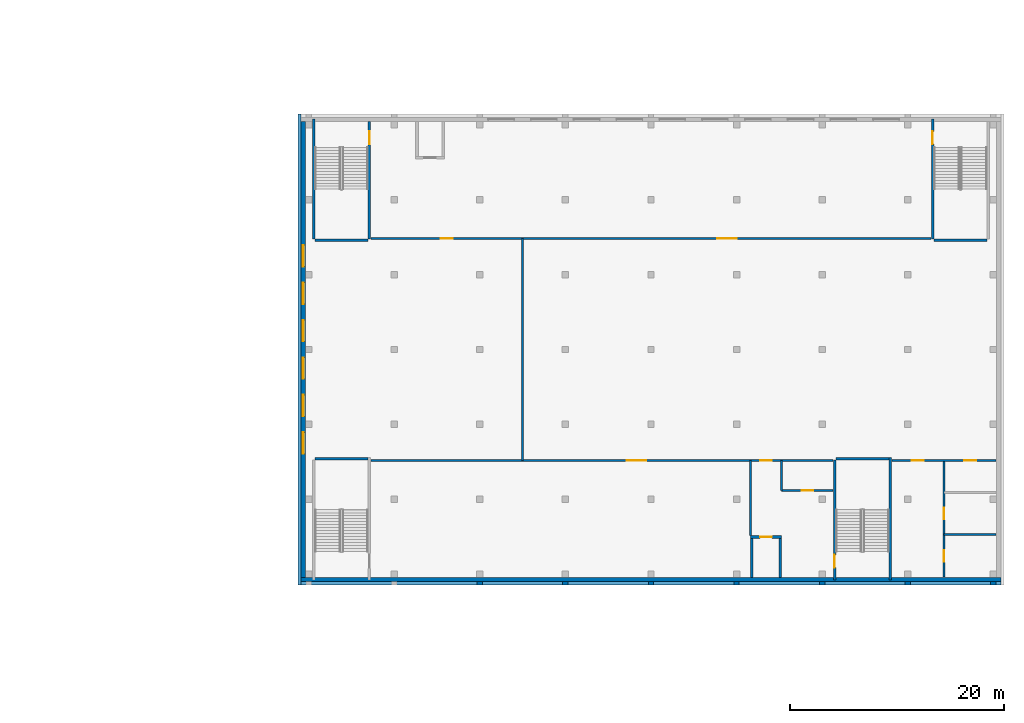
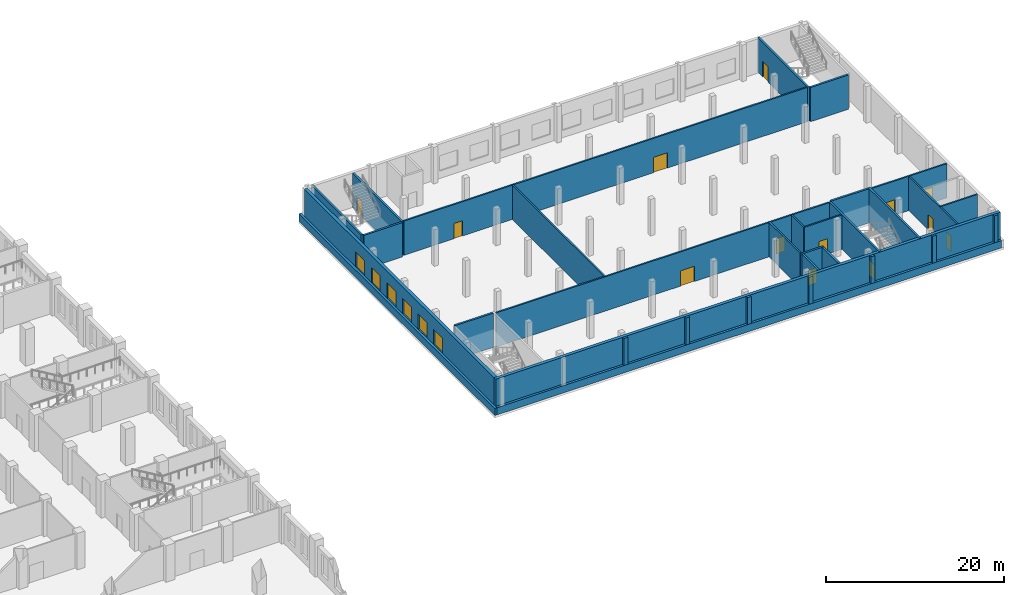
# One storey, part 11 of 32: 32 walls, 13 doors, 6 windows, 19 openings.
"""IFC4 building model written with IfcOpenShell, lengths in metres."""

from ifc_helpers import new_model, si_unit, direction, frame, frame_2d, origin, place, context, subcontext, project, spatial, rectangle, extrude, material, layer, layer_set, type_object, element, fill, save


model = new_model("IFC4")

# Units and contexts
model_context = context("Model", 3, precision=1e-05, world=origin(), true_north=direction((0.0, 1.0)))
body_context = subcontext(model_context, "Body", "Model", "MODEL_VIEW")
ifc_project = project(units=[si_unit("LENGTHUNIT", "METRE"), si_unit("AREAUNIT", "SQUARE_METRE"), si_unit("VOLUMEUNIT", "CUBIC_METRE"), si_unit("PLANEANGLEUNIT", "RADIAN"), si_unit("MASSUNIT", "GRAM", prefix="KILO")], contexts=[model_context])

# Site, building, storey
site_placement = place(None, origin())
site = spatial("IfcSite", under=ifc_project, at=site_placement, CompositionType="ELEMENT")
building_placement = place(site_placement, origin())
building = spatial("IfcBuilding", under=site, at=building_placement, Name="Tamorin Gate", CompositionType="ELEMENT")
storey_placement = place(building_placement, frame((0.0, 0.0, 18.5)))
storey = spatial("IfcBuildingStorey", under=building, at=storey_placement, Name="L03", CompositionType="ELEMENT", Elevation=18.5)

# Wall, openings, doors
ifc_material_1 = material(Name="Dense blockwork, plastered", Category="masonry")
ifc_layer_1 = layer(ifc_material_1, 0.199951171875)
ifc_layer_set_1 = layer_set([ifc_layer_1], Name="Blockwork partition 200")
wall_type_1 = type_object("IfcWallType", Name="Blockwork partition 200", PredefinedType="PARTITIONING", material=ifc_layer_set_1)
wall_1_placement = place(storey_placement, frame((151.530029296875, 66.330078125, 0.0), z_axis=(0.0, 0.0, 1.0), x_axis=(1.0, 0.0, 0.0)))
wall_1 = element("IfcWall", 1, at=wall_1_placement, inside=storey, type_object=wall_type_1, Name="Partition", PredefinedType="PARTITIONING", context=body_context, shape_type="SweptSolid", body=[
    extrude(rectangle(XDim=43.18994140625, YDim=0.199951171875, at=frame_2d((21.594970703125, 0.0))), origin(), (0.0, 0.0, 1.0), 4.699951171875),
])
opening_1_placement = place(wall_1_placement, frame((23.919921875, 0.0, 0.0)))
opening_1 = element("IfcOpeningElement", 2, at=opening_1_placement, cuts=wall_1, Name="Opening DM85", PredefinedType="OPENING", context=body_context, shape_type="SweptSolid", body=[
    extrude(rectangle(XDim=1.800048828125, YDim=2.10009765625, at=frame_2d((0.89990234375, 1.050048828125))), frame((0.0, 0.10986328125, 0.0), z_axis=(0.0, -1.0, 0.0), x_axis=(1.0, 0.0, 0.0)), (0.0, 0.0, 1.0), 0.219970703125),
])
opening_2_placement = place(wall_1_placement, frame((36.3701171875, 0.0, 0.0)))
opening_2 = element("IfcOpeningElement", 3, at=opening_2_placement, cuts=wall_1, Name="Opening DM87", PredefinedType="OPENING", context=body_context, shape_type="SweptSolid", body=[
    extrude(rectangle(XDim=1.10009765625, YDim=2.10009765625, at=frame_2d((0.550048828125, 1.050048828125))), frame((0.0, 0.10986328125, 0.0), z_axis=(0.0, -1.0, 0.0), x_axis=(1.0, 0.0, 0.0)), (0.0, 0.0, 1.0), 0.219970703125),
])
ifc_material_2 = material(Name="Steel, painted", Category="steel")
door_type_1 = type_object("IfcDoorType", Name="Museum door 1100x2100", OperationType="SINGLE_SWING_LEFT", PredefinedType="DOOR", material=ifc_material_2)
door_1_placement = place(opening_2_placement, origin())
door_1 = element("IfcDoor", 4, at=door_1_placement, inside=storey, type_object=door_type_1, Name="Door Goods lobby", OperationType="SINGLE_SWING_RIGHT", OverallHeight=2.10009765625, OverallWidth=1.10009765625, PredefinedType="DOOR", context=body_context, shape_type="SweptSolid", body=[
    extrude(rectangle(XDim=1.10009765625, YDim=2.10009765625, at=frame_2d((0.550048828125, 1.050048828125))), frame((0.0, 0.02490234375, 0.0), z_axis=(0.0, -1.0, 0.0), x_axis=(1.0, 0.0, 0.0)), (0.0, 0.0, 1.0), 0.050048828125),
])
fill(opening_2, door_1)
door_type_2 = type_object("IfcDoorType", Name="Museum double door 1800x2100", OperationType="DOUBLE_DOOR_SINGLE_SWING", PredefinedType="DOOR", material=ifc_material_2)
door_2_placement = place(opening_1_placement, origin())
door_2 = element("IfcDoor", 5, at=door_2_placement, inside=storey, type_object=door_type_2, Name="Door Gallery three introduction", OperationType="DOUBLE_DOOR_SINGLE_SWING", OverallHeight=2.10009765625, OverallWidth=1.800048828125, PredefinedType="DOOR", context=body_context, shape_type="SweptSolid", body=[
    extrude(rectangle(XDim=1.800048828125, YDim=2.10009765625, at=frame_2d((0.89990234375, 1.050048828125))), frame((0.0, 0.02490234375, 0.0), z_axis=(0.0, -1.0, 0.0), x_axis=(1.0, 0.0, 0.0)), (0.0, 0.0, 1.0), 0.050048828125),
])
fill(opening_1, door_2)

wall_2_placement = place(storey_placement, frame((200.22998046875, 66.330078125, 0.0), z_axis=(0.0, 0.0, 1.0), x_axis=(1.0, 0.0, 0.0)))
wall_2 = element("IfcWall", 6, at=wall_2_placement, inside=storey, type_object=wall_type_1, Name="Partition", PredefinedType="PARTITIONING", context=body_context, shape_type="SweptSolid", body=[
    extrude(rectangle(XDim=9.719970703125, YDim=0.199951171875, at=frame_2d((4.85986328125, 0.0))), origin(), (0.0, 0.0, 1.0), 4.699951171875),
])
opening_3_placement = place(wall_2_placement, frame((1.8701171875, 0.0, 0.0)))
opening_3 = element("IfcOpeningElement", 7, at=opening_3_placement, cuts=wall_2, Name="Opening DM88", PredefinedType="OPENING", context=body_context, shape_type="SweptSolid", body=[
    extrude(rectangle(XDim=1.10009765625, YDim=2.10009765625, at=frame_2d((0.550048828125, 1.050048828125))), frame((0.0, 0.10986328125, 0.0), z_axis=(0.0, -1.0, 0.0), x_axis=(1.0, 0.0, 0.0)), (0.0, 0.0, 1.0), 0.219970703125),
])
opening_4_placement = place(wall_2_placement, frame((6.77001953125, 0.0, 0.0)))
opening_4 = element("IfcOpeningElement", 8, at=opening_4_placement, cuts=wall_2, Name="Opening DM89", PredefinedType="OPENING", context=body_context, shape_type="SweptSolid", body=[
    extrude(rectangle(XDim=1.10009765625, YDim=2.10009765625, at=frame_2d((0.550048828125, 1.050048828125))), frame((0.0, 0.10986328125, 0.0), z_axis=(0.0, -1.0, 0.0), x_axis=(1.0, 0.0, 0.0)), (0.0, 0.0, 1.0), 0.219970703125),
])
door_3_placement = place(opening_3_placement, origin())
door_3 = element("IfcDoor", 9, at=door_3_placement, inside=storey, type_object=door_type_1, Name="Door Public WC", OperationType="SINGLE_SWING_LEFT", OverallHeight=2.10009765625, OverallWidth=1.10009765625, PredefinedType="DOOR", context=body_context, shape_type="SweptSolid", body=[
    extrude(rectangle(XDim=1.10009765625, YDim=2.10009765625, at=frame_2d((0.550048828125, 1.050048828125))), frame((0.0, 0.02490234375, 0.0), z_axis=(0.0, -1.0, 0.0), x_axis=(1.0, 0.0, 0.0)), (0.0, 0.0, 1.0), 0.050048828125),
])
fill(opening_3, door_3)
door_4_placement = place(opening_4_placement, origin())
door_4 = element("IfcDoor", 10, at=door_4_placement, inside=storey, type_object=door_type_1, Name="Door Accessible WC", OperationType="SINGLE_SWING_RIGHT", OverallHeight=2.10009765625, OverallWidth=1.10009765625, PredefinedType="DOOR", context=body_context, shape_type="SweptSolid", body=[
    extrude(rectangle(XDim=1.10009765625, YDim=2.10009765625, at=frame_2d((0.550048828125, 1.050048828125))), frame((0.0, 0.02490234375, 0.0), z_axis=(0.0, -1.0, 0.0), x_axis=(1.0, 0.0, 0.0)), (0.0, 0.0, 1.0), 0.050048828125),
])
fill(opening_4, door_4)

# Wall, opening, door
wall_3_placement = place(storey_placement, frame((189.89990234375, 63.530029296875, 0.0), z_axis=(0.0, 0.0, 1.0), x_axis=(1.0, 0.0, 0.0)))
wall_3 = element("IfcWall", 11, at=wall_3_placement, inside=storey, type_object=wall_type_1, Name="Partition", PredefinedType="PARTITIONING", context=body_context, shape_type="SweptSolid", body=[
    extrude(rectangle(XDim=4.820068359375, YDim=0.199951171875, at=frame_2d((2.41015625, 0.0))), origin(), (0.0, 0.0, 1.0), 4.699951171875),
])
opening_5_placement = place(wall_3_placement, frame((1.875, 0.0, 0.0)))
opening_5 = element("IfcOpeningElement", 12, at=opening_5_placement, cuts=wall_3, Name="Opening DM86", PredefinedType="OPENING", context=body_context, shape_type="SweptSolid", body=[
    extrude(rectangle(XDim=1.10009765625, YDim=2.10009765625, at=frame_2d((0.550048828125, 1.050048828125))), frame((0.0, 0.10986328125, 0.0), z_axis=(0.0, -1.0, 0.0), x_axis=(1.0, 0.0, 0.0)), (0.0, 0.0, 1.0), 0.219970703125),
])
door_5_placement = place(opening_5_placement, origin())
door_5 = element("IfcDoor", 13, at=door_5_placement, inside=storey, type_object=door_type_1, Name="Door Cleaner's store", OperationType="SINGLE_SWING_LEFT", OverallHeight=2.10009765625, OverallWidth=1.10009765625, PredefinedType="DOOR", context=body_context, shape_type="SweptSolid", body=[
    extrude(rectangle(XDim=1.10009765625, YDim=2.10009765625, at=frame_2d((0.550048828125, 1.050048828125))), frame((0.0, 0.02490234375, 0.0), z_axis=(0.0, -1.0, 0.0), x_axis=(1.0, 0.0, 0.0)), (0.0, 0.0, 1.0), 0.050048828125),
])
fill(opening_5, door_5)

# Wall
wall_4_placement = place(storey_placement, frame((205.10009765625, 59.39990234375, 0.0), z_axis=(0.0, 0.0, 1.0), x_axis=(1.0, 0.0, 0.0)))
element("IfcWall", 14, at=wall_4_placement, inside=storey, type_object=wall_type_1, Name="Partition", PredefinedType="PARTITIONING", context=body_context, shape_type="SweptSolid", body=[
    extrude(rectangle(XDim=4.849853515625, YDim=0.199951171875, at=frame_2d((2.4248046875, 0.0))), origin(), (0.0, 0.0, 1.0), 4.699951171875),
])

# Wall, openings, doors
wall_5_placement = place(storey_placement, frame((151.530029296875, 87.070068359375, 0.0), z_axis=(0.0, 0.0, 1.0), x_axis=(1.0, 0.0, 0.0)))
wall_5 = element("IfcWall", 15, at=wall_5_placement, inside=storey, type_object=wall_type_1, Name="Partition", PredefinedType="PARTITIONING", context=body_context, shape_type="SweptSolid", body=[
    extrude(rectangle(XDim=52.340087890625, YDim=0.199951171875, at=frame_2d((26.169921875, 0.0))), origin(), (0.0, 0.0, 1.0), 4.699951171875),
])
opening_6_placement = place(wall_5_placement, frame((32.3701171875, 0.0, 0.0)))
opening_6 = element("IfcOpeningElement", 16, at=opening_6_placement, cuts=wall_5, Name="Opening DM92", PredefinedType="OPENING", context=body_context, shape_type="SweptSolid", body=[
    extrude(rectangle(XDim=1.800048828125, YDim=2.10009765625, at=frame_2d((0.89990234375, 1.050048828125))), frame((0.0, 0.10986328125, 0.0), z_axis=(0.0, -1.0, 0.0), x_axis=(1.0, 0.0, 0.0)), (0.0, 0.0, 1.0), 0.219970703125),
])
opening_7_placement = place(wall_5_placement, frame((6.52001953125, 0.0, 0.0)))
opening_7 = element("IfcOpeningElement", 17, at=opening_7_placement, cuts=wall_5, Name="Opening DM93", PredefinedType="OPENING", context=body_context, shape_type="SweptSolid", body=[
    extrude(rectangle(XDim=1.10009765625, YDim=2.10009765625, at=frame_2d((0.550048828125, 1.050048828125))), frame((0.0, 0.10986328125, 0.0), z_axis=(0.0, -1.0, 0.0), x_axis=(1.0, 0.0, 0.0)), (0.0, 0.0, 1.0), 0.219970703125),
])
door_6_placement = place(opening_7_placement, origin())
door_6 = element("IfcDoor", 18, at=door_6_placement, inside=storey, type_object=door_type_1, Name="Door Reading room", OperationType="SINGLE_SWING_LEFT", OverallHeight=2.10009765625, OverallWidth=1.10009765625, PredefinedType="DOOR", context=body_context, shape_type="SweptSolid", body=[
    extrude(rectangle(XDim=1.10009765625, YDim=2.10009765625, at=frame_2d((0.550048828125, 1.050048828125))), frame((0.0, 0.02490234375, 0.0), z_axis=(0.0, -1.0, 0.0), x_axis=(1.0, 0.0, 0.0)), (0.0, 0.0, 1.0), 0.050048828125),
])
fill(opening_7, door_6)
door_7_placement = place(opening_6_placement, origin())
door_7 = element("IfcDoor", 19, at=door_7_placement, inside=storey, type_object=door_type_2, Name="Door Gallery three", OperationType="DOUBLE_DOOR_SINGLE_SWING", OverallHeight=2.10009765625, OverallWidth=1.800048828125, PredefinedType="DOOR", context=body_context, shape_type="SweptSolid", body=[
    extrude(rectangle(XDim=1.800048828125, YDim=2.10009765625, at=frame_2d((0.89990234375, 1.050048828125))), frame((0.0, 0.02490234375, 0.0), z_axis=(0.0, -1.0, 0.0), x_axis=(1.0, 0.0, 0.0)), (0.0, 0.0, 1.0), 0.050048828125),
])
fill(opening_6, door_7)

# Walls
wall_6_placement = place(storey_placement, frame((187.0, 59.330078125, 0.0), z_axis=(0.0, 0.0, 1.0), x_axis=(0.0, 1.0, 0.0)))
element("IfcWall", 20, at=wall_6_placement, inside=storey, type_object=wall_type_1, Name="Partition", PredefinedType="PARTITIONING", context=body_context, shape_type="SweptSolid", body=[
    extrude(rectangle(XDim=7.0, YDim=0.199951171875, at=frame_2d((3.5, 0.0))), origin(), (0.0, 0.0, 1.0), 4.699951171875),
])
wall_7_placement = place(storey_placement, frame((189.89990234375, 63.530029296875, 0.0), z_axis=(0.0, 0.0, 1.0), x_axis=(0.0, 1.0, 0.0)))
element("IfcWall", 21, at=wall_7_placement, inside=storey, type_object=wall_type_1, Name="Partition", PredefinedType="PARTITIONING", context=body_context, shape_type="SweptSolid", body=[
    extrude(rectangle(XDim=2.800048828125, YDim=0.199951171875, at=frame_2d((1.39990234375, 0.0))), origin(), (0.0, 0.0, 1.0), 4.699951171875),
])

# Wall, openings, doors
wall_8_placement = place(storey_placement, frame((205.10009765625, 55.449951171875, 0.0), z_axis=(0.0, 0.0, 1.0), x_axis=(0.0, 1.0, 0.0)))
wall_8 = element("IfcWall", 22, at=wall_8_placement, inside=storey, type_object=wall_type_1, Name="Partition", PredefinedType="PARTITIONING", context=body_context, shape_type="SweptSolid", body=[
    extrude(rectangle(XDim=10.880126953125, YDim=0.199951171875, at=frame_2d((5.43994140625, 0.0))), origin(), (0.0, 0.0, 1.0), 4.699951171875),
])
opening_8_placement = place(wall_8_placement, frame((1.39990234375, 0.0, 0.0)))
opening_8 = element("IfcOpeningElement", 23, at=opening_8_placement, cuts=wall_8, Name="Opening DM90", PredefinedType="OPENING", context=body_context, shape_type="SweptSolid", body=[
    extrude(rectangle(XDim=1.10009765625, YDim=2.10009765625, at=frame_2d((0.550048828125, 1.050048828125))), frame((0.0, 0.10986328125, 0.0), z_axis=(0.0, -1.0, 0.0), x_axis=(1.0, 0.0, 0.0)), (0.0, 0.0, 1.0), 0.219970703125),
])
opening_9_placement = place(wall_8_placement, frame((5.364990234375, 0.0, 0.0)))
opening_9 = element("IfcOpeningElement", 24, at=opening_9_placement, cuts=wall_8, Name="Opening DM91", PredefinedType="OPENING", context=body_context, shape_type="SweptSolid", body=[
    extrude(rectangle(XDim=1.10009765625, YDim=2.10009765625, at=frame_2d((0.550048828125, 1.050048828125))), frame((0.0, 0.10986328125, 0.0), z_axis=(0.0, -1.0, 0.0), x_axis=(1.0, 0.0, 0.0)), (0.0, 0.0, 1.0), 0.219970703125),
])
door_8_placement = place(opening_8_placement, origin())
door_8 = element("IfcDoor", 25, at=door_8_placement, inside=storey, type_object=door_type_1, Name="Door Family changing room", OperationType="SINGLE_SWING_LEFT", OverallHeight=2.10009765625, OverallWidth=1.10009765625, PredefinedType="DOOR", context=body_context, shape_type="SweptSolid", body=[
    extrude(rectangle(XDim=1.10009765625, YDim=2.10009765625, at=frame_2d((0.550048828125, 1.050048828125))), frame((0.0, 0.02490234375, 0.0), z_axis=(0.0, -1.0, 0.0), x_axis=(1.0, 0.0, 0.0)), (0.0, 0.0, 1.0), 0.050048828125),
])
fill(opening_8, door_8)
door_9_placement = place(opening_9_placement, origin())
door_9 = element("IfcDoor", 26, at=door_9_placement, inside=storey, type_object=door_type_1, Name="Door Baby care room", OperationType="SINGLE_SWING_RIGHT", OverallHeight=2.10009765625, OverallWidth=1.10009765625, PredefinedType="DOOR", context=body_context, shape_type="SweptSolid", body=[
    extrude(rectangle(XDim=1.10009765625, YDim=2.10009765625, at=frame_2d((0.550048828125, 1.050048828125))), frame((0.0, 0.02490234375, 0.0), z_axis=(0.0, -1.0, 0.0), x_axis=(1.0, 0.0, 0.0)), (0.0, 0.0, 1.0), 0.050048828125),
])
fill(opening_9, door_9)

# Walls
wall_9_placement = place(storey_placement, frame((165.699951171875, 66.330078125, 0.0), z_axis=(0.0, 0.0, 1.0), x_axis=(0.0, 1.0, 0.0)))
element("IfcWall", 27, at=wall_9_placement, inside=storey, type_object=wall_type_1, Name="Partition", PredefinedType="PARTITIONING", context=body_context, shape_type="SweptSolid", body=[
    extrude(rectangle(XDim=20.739990234375, YDim=0.199951171875, at=frame_2d((10.3701171875, 0.0))), origin(), (0.0, 0.0, 1.0), 4.699951171875),
])
ifc_material_3 = material(Name="Concrete C40/50", Category="concrete")
ifc_layer_2 = layer(ifc_material_3, 0.39990234375)
ifc_layer_set_2 = layer_set([ifc_layer_2], Name="Board-marked concrete facade wall 400 C40/50")
wall_type_2 = type_object("IfcWallType", Name="Board-marked concrete facade wall 400 C40/50", PredefinedType="SOLIDWALL", material=ifc_layer_set_2)
wall_10_placement = place(storey_placement, frame((145.0, 55.199951171875, 0.0), z_axis=(0.0, 0.0, 1.0), x_axis=(1.0, 0.0, 0.0)))
element("IfcWall", 28, at=wall_10_placement, inside=storey, type_object=wall_type_2, Name="Facade wall", PredefinedType="SOLIDWALL", context=body_context, shape_type="SweptSolid", body=[
    extrude(rectangle(XDim=65.39990234375, YDim=0.39990234375, at=frame_2d((32.699951171875, 0.0))), origin(), (0.0, 0.0, 1.0), 4.699951171875),
])

# Wall, openings, windows
wall_11_placement = place(storey_placement, frame((145.199951171875, 55.39990234375, 0.0), z_axis=(0.0, 0.0, 1.0), x_axis=(0.0, 1.0, 0.0)))
wall_11 = element("IfcWall", 29, at=wall_11_placement, inside=storey, type_object=wall_type_2, Name="Facade wall", PredefinedType="SOLIDWALL", context=body_context, shape_type="SweptSolid", body=[
    extrude(rectangle(XDim=42.60009765625, YDim=0.39990234375, at=frame_2d((21.300048828125, 0.0))), origin(), (0.0, 0.0, 1.0), 4.699951171875),
])
opening_10_placement = place(wall_11_placement, frame((11.550048828125, 0.0, 1.0)))
opening_10 = element("IfcOpeningElement", 30, at=opening_10_placement, cuts=wall_11, Name="Opening WNM1", PredefinedType="OPENING", context=body_context, shape_type="SweptSolid", body=[
    extrude(rectangle(XDim=2.0, YDim=2.10009765625, at=frame_2d((1.0, 1.050048828125))), frame((0.0, 0.2099609375, 0.0), z_axis=(0.0, -1.0, 0.0), x_axis=(1.0, 0.0, 0.0)), (0.0, 0.0, 1.0), 0.419921875),
])
opening_11_placement = place(wall_11_placement, frame((15.050048828125, 0.0, 1.0)))
opening_11 = element("IfcOpeningElement", 31, at=opening_11_placement, cuts=wall_11, Name="Opening WNM1", PredefinedType="OPENING", context=body_context, shape_type="SweptSolid", body=[
    extrude(rectangle(XDim=2.0, YDim=2.10009765625, at=frame_2d((1.0, 1.050048828125))), frame((0.0, 0.2099609375, 0.0), z_axis=(0.0, -1.0, 0.0), x_axis=(1.0, 0.0, 0.0)), (0.0, 0.0, 1.0), 0.419921875),
])
opening_12_placement = place(wall_11_placement, frame((18.550048828125, 0.0, 1.0)))
opening_12 = element("IfcOpeningElement", 32, at=opening_12_placement, cuts=wall_11, Name="Opening WNM1", PredefinedType="OPENING", context=body_context, shape_type="SweptSolid", body=[
    extrude(rectangle(XDim=2.0, YDim=2.10009765625, at=frame_2d((1.0, 1.050048828125))), frame((0.0, 0.2099609375, 0.0), z_axis=(0.0, -1.0, 0.0), x_axis=(1.0, 0.0, 0.0)), (0.0, 0.0, 1.0), 0.419921875),
])
opening_13_placement = place(wall_11_placement, frame((22.050048828125, 0.0, 1.0)))
opening_13 = element("IfcOpeningElement", 33, at=opening_13_placement, cuts=wall_11, Name="Opening WNM1", PredefinedType="OPENING", context=body_context, shape_type="SweptSolid", body=[
    extrude(rectangle(XDim=2.0, YDim=2.10009765625, at=frame_2d((1.0, 1.050048828125))), frame((0.0, 0.2099609375, 0.0), z_axis=(0.0, -1.0, 0.0), x_axis=(1.0, 0.0, 0.0)), (0.0, 0.0, 1.0), 0.419921875),
])
opening_14_placement = place(wall_11_placement, frame((25.550048828125, 0.0, 1.0)))
opening_14 = element("IfcOpeningElement", 34, at=opening_14_placement, cuts=wall_11, Name="Opening WNM1", PredefinedType="OPENING", context=body_context, shape_type="SweptSolid", body=[
    extrude(rectangle(XDim=2.0, YDim=2.10009765625, at=frame_2d((1.0, 1.050048828125))), frame((0.0, 0.2099609375, 0.0), z_axis=(0.0, -1.0, 0.0), x_axis=(1.0, 0.0, 0.0)), (0.0, 0.0, 1.0), 0.419921875),
])
opening_15_placement = place(wall_11_placement, frame((29.050048828125, 0.0, 1.0)))
opening_15 = element("IfcOpeningElement", 35, at=opening_15_placement, cuts=wall_11, Name="Opening WNM1", PredefinedType="OPENING", context=body_context, shape_type="SweptSolid", body=[
    extrude(rectangle(XDim=2.0, YDim=2.10009765625, at=frame_2d((1.0, 1.050048828125))), frame((0.0, 0.2099609375, 0.0), z_axis=(0.0, -1.0, 0.0), x_axis=(1.0, 0.0, 0.0)), (0.0, 0.0, 1.0), 0.419921875),
])
ifc_material_4 = material(Name="Aluminium and glass", Category="aluminium")
window_type = type_object("IfcWindowType", Name="Deep-set window 2400x1500", PartitioningType="SINGLE_PANEL", PredefinedType="WINDOW", material=ifc_material_4)
window_1_placement = place(opening_10_placement, origin())
window_1 = element("IfcWindow", 36, at=window_1_placement, inside=storey, type_object=window_type, Name="Deep-set window", OverallHeight=2.10009765625, OverallWidth=2.0, PartitioningType="SINGLE_PANEL", PredefinedType="WINDOW", context=body_context, shape_type="SweptSolid", body=[
    extrude(rectangle(XDim=2.0, YDim=2.10009765625, at=frame_2d((1.0, 1.050048828125))), frame((0.0, 0.030029296875, 0.0), z_axis=(0.0, -1.0, 0.0), x_axis=(1.0, 0.0, 0.0)), (0.0, 0.0, 1.0), 0.06005859375),
])
fill(opening_10, window_1)
window_2_placement = place(opening_11_placement, origin())
window_2 = element("IfcWindow", 37, at=window_2_placement, inside=storey, type_object=window_type, Name="Deep-set window", OverallHeight=2.10009765625, OverallWidth=2.0, PartitioningType="SINGLE_PANEL", PredefinedType="WINDOW", context=body_context, shape_type="SweptSolid", body=[
    extrude(rectangle(XDim=2.0, YDim=2.10009765625, at=frame_2d((1.0, 1.050048828125))), frame((0.0, 0.030029296875, 0.0), z_axis=(0.0, -1.0, 0.0), x_axis=(1.0, 0.0, 0.0)), (0.0, 0.0, 1.0), 0.06005859375),
])
fill(opening_11, window_2)
window_3_placement = place(opening_12_placement, origin())
window_3 = element("IfcWindow", 38, at=window_3_placement, inside=storey, type_object=window_type, Name="Deep-set window", OverallHeight=2.10009765625, OverallWidth=2.0, PartitioningType="SINGLE_PANEL", PredefinedType="WINDOW", context=body_context, shape_type="SweptSolid", body=[
    extrude(rectangle(XDim=2.0, YDim=2.10009765625, at=frame_2d((1.0, 1.050048828125))), frame((0.0, 0.030029296875, 0.0), z_axis=(0.0, -1.0, 0.0), x_axis=(1.0, 0.0, 0.0)), (0.0, 0.0, 1.0), 0.06005859375),
])
fill(opening_12, window_3)
window_4_placement = place(opening_13_placement, origin())
window_4 = element("IfcWindow", 39, at=window_4_placement, inside=storey, type_object=window_type, Name="Deep-set window", OverallHeight=2.10009765625, OverallWidth=2.0, PartitioningType="SINGLE_PANEL", PredefinedType="WINDOW", context=body_context, shape_type="SweptSolid", body=[
    extrude(rectangle(XDim=2.0, YDim=2.10009765625, at=frame_2d((1.0, 1.050048828125))), frame((0.0, 0.030029296875, 0.0), z_axis=(0.0, -1.0, 0.0), x_axis=(1.0, 0.0, 0.0)), (0.0, 0.0, 1.0), 0.06005859375),
])
fill(opening_13, window_4)
window_5_placement = place(opening_14_placement, origin())
window_5 = element("IfcWindow", 40, at=window_5_placement, inside=storey, type_object=window_type, Name="Deep-set window", OverallHeight=2.10009765625, OverallWidth=2.0, PartitioningType="SINGLE_PANEL", PredefinedType="WINDOW", context=body_context, shape_type="SweptSolid", body=[
    extrude(rectangle(XDim=2.0, YDim=2.10009765625, at=frame_2d((1.0, 1.050048828125))), frame((0.0, 0.030029296875, 0.0), z_axis=(0.0, -1.0, 0.0), x_axis=(1.0, 0.0, 0.0)), (0.0, 0.0, 1.0), 0.06005859375),
])
fill(opening_14, window_5)
window_6_placement = place(opening_15_placement, origin())
window_6 = element("IfcWindow", 41, at=window_6_placement, inside=storey, type_object=window_type, Name="Deep-set window", OverallHeight=2.10009765625, OverallWidth=2.0, PartitioningType="SINGLE_PANEL", PredefinedType="WINDOW", context=body_context, shape_type="SweptSolid", body=[
    extrude(rectangle(XDim=2.0, YDim=2.10009765625, at=frame_2d((1.0, 1.050048828125))), frame((0.0, 0.030029296875, 0.0), z_axis=(0.0, -1.0, 0.0), x_axis=(1.0, 0.0, 0.0)), (0.0, 0.0, 1.0), 0.06005859375),
])
fill(opening_15, window_6)

# Wall
ifc_layer_3 = layer(ifc_material_3, 0.25)
ifc_layer_set_3 = layer_set([ifc_layer_3], Name="Museum stair and lift enclosure wall 250 C40/50")
wall_type_3 = type_object("IfcWallType", Name="Museum stair and lift enclosure wall 250 C40/50", PredefinedType="SHEAR", material=ifc_layer_set_3)
wall_12_placement = place(storey_placement, frame((146.175048828125, 87.0400390625, 0.0), z_axis=(0.0, 0.0, 1.0), x_axis=(0.0, 1.0, 0.0)))
element("IfcWall", 42, at=wall_12_placement, inside=storey, type_object=wall_type_3, Name="Stair PS6 wall", PredefinedType="SHEAR", context=body_context, shape_type="SweptSolid", body=[
    extrude(rectangle(XDim=11.2099609375, YDim=0.25, at=frame_2d((5.60498046875, 0.0))), origin(), (0.0, 0.0, 1.0), 4.699951171875),
])

# Wall, opening, door
wall_13_placement = place(storey_placement, frame((151.375, 87.0400390625, 0.0), z_axis=(0.0, 0.0, 1.0), x_axis=(0.0, 1.0, 0.0)))
wall_13 = element("IfcWall", 43, at=wall_13_placement, inside=storey, type_object=wall_type_3, Name="Stair PS6 wall", PredefinedType="SHEAR", context=body_context, shape_type="SweptSolid", body=[
    extrude(rectangle(XDim=10.9599609375, YDim=0.25, at=frame_2d((5.47998046875, 0.0))), origin(), (0.0, 0.0, 1.0), 4.699951171875),
])
opening_16_placement = place(wall_13_placement, frame((8.860107421875, 0.0, 0.0)))
opening_16 = element("IfcOpeningElement", 44, at=opening_16_placement, cuts=wall_13, Name="Opening DM5", PredefinedType="OPENING", context=body_context, shape_type="SweptSolid", body=[
    extrude(rectangle(XDim=1.199951171875, YDim=2.10009765625, at=frame_2d((0.60009765625, 1.050048828125))), frame((0.0, 0.135009765625, 0.0), z_axis=(0.0, -1.0, 0.0), x_axis=(1.0, 0.0, 0.0)), (0.0, 0.0, 1.0), 0.27001953125),
])
door_type_3 = type_object("IfcDoorType", Name="Museum stair door 1200x2100 FD90", OperationType="SINGLE_SWING_LEFT", PredefinedType="DOOR", material=ifc_material_2)
door_10_placement = place(opening_16_placement, origin())
door_10 = element("IfcDoor", 45, at=door_10_placement, inside=storey, type_object=door_type_3, Name="Stair door", OperationType="SINGLE_SWING_LEFT", OverallHeight=2.10009765625, OverallWidth=1.199951171875, PredefinedType="DOOR", context=body_context, shape_type="SweptSolid", body=[
    extrude(rectangle(XDim=1.199951171875, YDim=2.10009765625, at=frame_2d((0.60009765625, 1.050048828125))), frame((0.0, 0.02490234375, 0.0), z_axis=(0.0, -1.0, 0.0), x_axis=(1.0, 0.0, 0.0)), (0.0, 0.0, 1.0), 0.050048828125),
])
fill(opening_16, door_10)

# Wall
wall_14_placement = place(storey_placement, frame((146.300048828125, 86.9150390625, 0.0), z_axis=(0.0, 0.0, 1.0), x_axis=(1.0, 0.0, 0.0)))
element("IfcWall", 46, at=wall_14_placement, inside=storey, type_object=wall_type_3, Name="Stair PS6 wall", PredefinedType="SHEAR", context=body_context, shape_type="SweptSolid", body=[
    extrude(rectangle(XDim=4.949951171875, YDim=0.25, at=frame_2d((2.47509765625, 0.0))), origin(), (0.0, 0.0, 1.0), 4.699951171875),
])

# Wall, opening, door
wall_15_placement = place(storey_placement, frame((194.875, 55.14990234375, 0.0), z_axis=(0.0, 0.0, 1.0), x_axis=(0.0, 1.0, 0.0)))
wall_15 = element("IfcWall", 47, at=wall_15_placement, inside=storey, type_object=wall_type_3, Name="Stair PS7 wall", PredefinedType="SHEAR", context=body_context, shape_type="SweptSolid", body=[
    extrude(rectangle(XDim=11.210205078125, YDim=0.25, at=frame_2d((5.60498046875, 0.0))), origin(), (0.0, 0.0, 1.0), 4.699951171875),
])
opening_17_placement = place(wall_15_placement, frame((1.14990234375, 0.0, 0.0)))
opening_17 = element("IfcOpeningElement", 48, at=opening_17_placement, cuts=wall_15, Name="Opening DM11", PredefinedType="OPENING", context=body_context, shape_type="SweptSolid", body=[
    extrude(rectangle(XDim=1.199951171875, YDim=2.10009765625, at=frame_2d((0.60009765625, 1.050048828125))), frame((0.0, 0.135009765625, 0.0), z_axis=(0.0, -1.0, 0.0), x_axis=(1.0, 0.0, 0.0)), (0.0, 0.0, 1.0), 0.27001953125),
])
door_11_placement = place(opening_17_placement, origin())
door_11 = element("IfcDoor", 49, at=door_11_placement, inside=storey, type_object=door_type_3, Name="Stair door", OperationType="SINGLE_SWING_LEFT", OverallHeight=2.10009765625, OverallWidth=1.199951171875, PredefinedType="DOOR", context=body_context, shape_type="SweptSolid", body=[
    extrude(rectangle(XDim=1.199951171875, YDim=2.10009765625, at=frame_2d((0.60009765625, 1.050048828125))), frame((0.0, 0.02490234375, 0.0), z_axis=(0.0, -1.0, 0.0), x_axis=(1.0, 0.0, 0.0)), (0.0, 0.0, 1.0), 0.050048828125),
])
fill(opening_17, door_11)

# Walls
wall_16_placement = place(storey_placement, frame((200.074951171875, 55.14990234375, 0.0), z_axis=(0.0, 0.0, 1.0), x_axis=(0.0, 1.0, 0.0)))
element("IfcWall", 50, at=wall_16_placement, inside=storey, type_object=wall_type_3, Name="Stair PS7 wall", PredefinedType="SHEAR", context=body_context, shape_type="SweptSolid", body=[
    extrude(rectangle(XDim=11.460205078125, YDim=0.25, at=frame_2d((5.72998046875, 0.0))), origin(), (0.0, 0.0, 1.0), 4.699951171875),
])
for number, where, z_axis, x_axis, name in (
    (51, (195.0, 66.485107421875, 0.0), (0.0, 0.0, 1.0), (1.0, 0.0, 0.0), "Stair PS7 wall"),
    (52, (146.300048828125, 66.485107421875, 0.0), (0.0, 0.0, 1.0), (1.0, 0.0, 0.0), "Stair PS8 wall"),
):
    element("IfcWall", number, at=place(storey_placement, frame(where, z_axis=z_axis, x_axis=x_axis)), inside=storey, type_object=wall_type_3, Name=name, PredefinedType="SHEAR", context=body_context, shape_type="SweptSolid", body=[
        extrude(rectangle(XDim=4.949951171875, YDim=0.25, at=frame_2d((2.47509765625, 0.0))), origin(), (0.0, 0.0, 1.0), 4.699951171875),
    ])

# Wall, opening, door
wall_17_placement = place(storey_placement, frame((204.02490234375, 87.0400390625, 0.0), z_axis=(0.0, 0.0, 1.0), x_axis=(0.0, 1.0, 0.0)))
wall_17 = element("IfcWall", 53, at=wall_17_placement, inside=storey, type_object=wall_type_3, Name="Stair PS9 wall", PredefinedType="SHEAR", context=body_context, shape_type="SweptSolid", body=[
    extrude(rectangle(XDim=11.2099609375, YDim=0.25, at=frame_2d((5.60498046875, 0.0))), origin(), (0.0, 0.0, 1.0), 4.699951171875),
])
opening_18_placement = place(wall_17_placement, frame((8.860107421875, 0.0, 0.0)))
opening_18 = element("IfcOpeningElement", 54, at=opening_18_placement, cuts=wall_17, Name="Opening DM23", PredefinedType="OPENING", context=body_context, shape_type="SweptSolid", body=[
    extrude(rectangle(XDim=1.199951171875, YDim=2.10009765625, at=frame_2d((0.60009765625, 1.050048828125))), frame((0.0, 0.135009765625, 0.0), z_axis=(0.0, -1.0, 0.0), x_axis=(1.0, 0.0, 0.0)), (0.0, 0.0, 1.0), 0.27001953125),
])
door_12_placement = place(opening_18_placement, origin())
door_12 = element("IfcDoor", 55, at=door_12_placement, inside=storey, type_object=door_type_3, Name="Stair door", OperationType="SINGLE_SWING_LEFT", OverallHeight=2.10009765625, OverallWidth=1.199951171875, PredefinedType="DOOR", context=body_context, shape_type="SweptSolid", body=[
    extrude(rectangle(XDim=1.199951171875, YDim=2.10009765625, at=frame_2d((0.60009765625, 1.050048828125))), frame((0.0, 0.02490234375, 0.0), z_axis=(0.0, -1.0, 0.0), x_axis=(1.0, 0.0, 0.0)), (0.0, 0.0, 1.0), 0.050048828125),
])
fill(opening_18, door_12)

# Wall
wall_18_placement = place(storey_placement, frame((204.14990234375, 86.9150390625, 0.0), z_axis=(0.0, 0.0, 1.0), x_axis=(1.0, 0.0, 0.0)))
element("IfcWall", 56, at=wall_18_placement, inside=storey, type_object=wall_type_3, Name="Stair PS9 wall", PredefinedType="SHEAR", context=body_context, shape_type="SweptSolid", body=[
    extrude(rectangle(XDim=4.9501953125, YDim=0.25, at=frame_2d((2.47509765625, 0.0))), origin(), (0.0, 0.0, 1.0), 4.699951171875),
])

# Wall, opening, door
wall_19_placement = place(storey_placement, frame((187.0, 59.175048828125, 0.0), z_axis=(0.0, 0.0, 1.0), x_axis=(1.0, 0.0, 0.0)))
wall_19 = element("IfcWall", 57, at=wall_19_placement, inside=storey, type_object=wall_type_3, Name="Lift shaft LM2", PredefinedType="SHEAR", context=body_context, shape_type="SweptSolid", body=[
    extrude(rectangle(XDim=2.89990234375, YDim=0.25, at=frame_2d((1.449951171875, 0.0))), origin(), (0.0, 0.0, 1.0), 4.699951171875),
])
opening_19_placement = place(wall_19_placement, frame((0.89990234375, 0.0, 0.0)))
opening_19 = element("IfcOpeningElement", 58, at=opening_19_placement, cuts=wall_19, Name="Opening LD24", PredefinedType="OPENING", context=body_context, shape_type="SweptSolid", body=[
    extrude(rectangle(XDim=1.10009765625, YDim=2.10009765625, at=frame_2d((0.550048828125, 1.050048828125))), frame((0.0, 0.135009765625, 0.0), z_axis=(0.0, -1.0, 0.0), x_axis=(1.0, 0.0, 0.0)), (0.0, 0.0, 1.0), 0.27001953125),
])
ifc_material_5 = material(Name="Stainless steel", Category="steel")
door_type_4 = type_object("IfcDoorType", Name="Museum lift landing door 1100x2100", OperationType="DOUBLE_DOOR_SLIDING", PredefinedType="DOOR", material=ifc_material_5)
door_13_placement = place(opening_19_placement, origin())
door_13 = element("IfcDoor", 59, at=door_13_placement, inside=storey, type_object=door_type_4, Name="Lift landing door", OperationType="DOUBLE_DOOR_SLIDING", OverallHeight=2.10009765625, OverallWidth=1.10009765625, PredefinedType="DOOR", context=body_context, shape_type="SweptSolid", body=[
    extrude(rectangle(XDim=1.10009765625, YDim=2.10009765625, at=frame_2d((0.550048828125, 1.050048828125))), frame((0.0, 0.02490234375, 0.0), z_axis=(0.0, -1.0, 0.0), x_axis=(1.0, 0.0, 0.0)), (0.0, 0.0, 1.0), 0.050048828125),
])
fill(opening_19, door_13)

# Walls
for number, where, z_axis, x_axis, name in (
    (60, (187.125, 55.39990234375, 0.0), (0.0, 0.0, 1.0), (0.0, 1.0, 0.0), "Lift shaft LM2"),
    (61, (189.77490234375, 55.39990234375, 0.0), (0.0, 0.0, 1.0), (0.0, 1.0, 0.0), "Lift shaft LM2"),
):
    element("IfcWall", number, at=place(storey_placement, frame(where, z_axis=z_axis, x_axis=x_axis)), inside=storey, type_object=wall_type_3, Name=name, PredefinedType="SHEAR", context=body_context, shape_type="SweptSolid", body=[
        extrude(rectangle(XDim=3.650146484375, YDim=0.25, at=frame_2d((1.8251953125, 0.0))), origin(), (0.0, 0.0, 1.0), 4.699951171875),
    ])
ifc_layer_4 = layer(ifc_material_3, 0.300048828125)
ifc_layer_set_4 = layer_set([ifc_layer_4], Name="Precast concrete band wall 300 C40/50")
wall_type_4 = type_object("IfcWallType", Name="Precast concrete band wall 300 C40/50", PredefinedType="STANDARD", material=ifc_layer_set_4)
wall_20_placement = place(storey_placement, frame((145.0, 54.85009765625, 0.0), z_axis=(0.0, 0.0, 1.0), x_axis=(1.0, 0.0, 0.0)))
element("IfcWall", 62, at=wall_20_placement, inside=storey, type_object=wall_type_4, Name="Precast band", PredefinedType="STANDARD", context=body_context, shape_type="SweptSolid", body=[
    extrude(rectangle(XDim=65.39990234375, YDim=0.300048828125, at=frame_2d((32.699951171875, 0.0))), origin(), (0.0, 0.0, 1.0), 1.0),
])
wall_21_placement = place(storey_placement, frame((144.85009765625, 54.699951171875, 0.0), z_axis=(0.0, 0.0, 1.0), x_axis=(0.0, 1.0, 0.0)))
element("IfcWall", 63, at=wall_21_placement, inside=storey, type_object=wall_type_4, Name="Precast band", PredefinedType="STANDARD", context=body_context, shape_type="SweptSolid", body=[
    extrude(rectangle(XDim=44.0, YDim=0.300048828125, at=frame_2d((22.0, 0.0))), origin(), (0.0, 0.0, 1.0), 1.0),
])
ifc_layer_5 = layer(ifc_material_3, 0.5)
ifc_layer_set_5 = layer_set([ifc_layer_5], Name="Precast rib wall 500 C40/50")
wall_type_5 = type_object("IfcWallType", Name="Precast rib wall 500 C40/50", PredefinedType="STANDARD", material=ifc_layer_set_5)
for number, where, z_axis, x_axis, name in (
    (64, (161.699951171875, 54.699951171875, 1.0), (0.0, 0.0, 1.0), (0.0, 1.0, 0.0), "Precast rib"),
    (65, (169.699951171875, 54.699951171875, 1.0), (0.0, 0.0, 1.0), (0.0, 1.0, 0.0), "Precast rib"),
    (66, (177.699951171875, 54.699951171875, 1.0), (0.0, 0.0, 1.0), (0.0, 1.0, 0.0), "Precast rib"),
    (67, (185.699951171875, 54.699951171875, 1.0), (0.0, 0.0, 1.0), (0.0, 1.0, 0.0), "Precast rib"),
    (68, (193.699951171875, 54.699951171875, 1.0), (0.0, 0.0, 1.0), (0.0, 1.0, 0.0), "Precast rib"),
    (69, (201.699951171875, 54.699951171875, 1.0), (0.0, 0.0, 1.0), (0.0, 1.0, 0.0), "Precast rib"),
    (70, (209.699951171875, 54.699951171875, 1.0), (0.0, 0.0, 1.0), (0.0, 1.0, 0.0), "Precast rib"),
):
    element("IfcWall", number, at=place(storey_placement, frame(where, z_axis=z_axis, x_axis=x_axis)), inside=storey, type_object=wall_type_5, Name=name, PredefinedType="STANDARD", context=body_context, shape_type="SweptSolid", body=[
        extrude(rectangle(XDim=0.300048828125, YDim=0.5, at=frame_2d((0.14990234375, 0.0))), origin(), (0.0, 0.0, 1.0), 3.699951171875),
    ])

save(model, "model.ifc")
